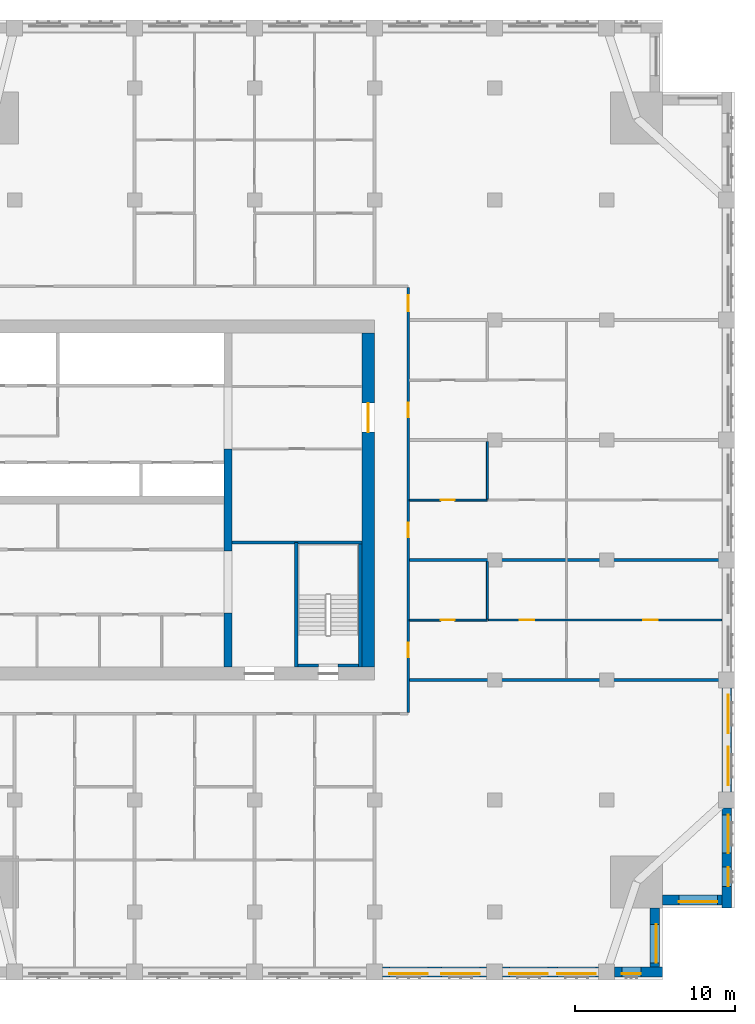
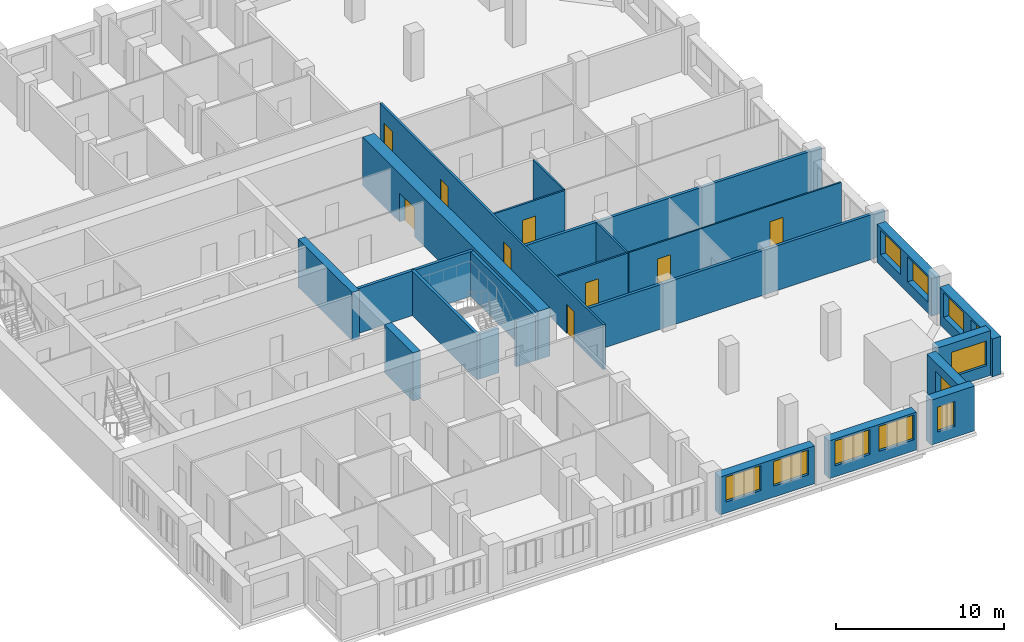
# One storey, part 8 of 14: 23 walls, 11 windows, 9 doors, 20 openings.
"""IFC4 building model written with IfcOpenShell, lengths in metres."""

from ifc_helpers import new_model, si_unit, direction, frame, frame_2d, origin, place, context, subcontext, project, spatial, rectangle, extrude, material, layer, layer_set, type_object, element, fill, save


model = new_model("IFC4")

# Units and contexts
model_context = context("Model", 3, precision=1e-05, world=origin(), true_north=direction((0.0, 1.0)))
body_context = subcontext(model_context, "Body", "Model", "MODEL_VIEW")
ifc_project = project(units=[si_unit("LENGTHUNIT", "METRE"), si_unit("AREAUNIT", "SQUARE_METRE"), si_unit("VOLUMEUNIT", "CUBIC_METRE"), si_unit("PLANEANGLEUNIT", "RADIAN"), si_unit("MASSUNIT", "GRAM", prefix="KILO")], contexts=[model_context])

# Site, building, storey
site_placement = place(None, origin())
site = spatial("IfcSite", under=ifc_project, at=site_placement, CompositionType="ELEMENT")
building_placement = place(site_placement, origin())
building = spatial("IfcBuilding", under=site, at=building_placement, Name="Tamorin Gate", CompositionType="ELEMENT")
storey_placement = place(building_placement, frame((0.0, 0.0, 200.199951171875)))
storey = spatial("IfcBuildingStorey", under=building, at=storey_placement, Name="L49", CompositionType="ELEMENT", Elevation=200.199951171875)

# Wall, openings, windows
ifc_material_1 = material(Name="Precast concrete C40/50", Category="concrete")
ifc_layer_1 = layer(ifc_material_1, 0.60009765625)
ifc_layer_set_1 = layer_set([ifc_layer_1], Name="Precast concrete C40/50")
wall_type_1 = type_object("IfcWallType", Name="Board-marked concrete facade panel 600", PredefinedType="SOLIDWALL", material=ifc_layer_set_1)
wall_1_placement = place(storey_placement, frame((60.5, 41.75, 0.0), z_axis=(0.0, 0.0, 1.0), x_axis=(1.0, 0.0, 0.0)))
wall_1 = element("IfcWall", 1, at=wall_1_placement, inside=storey, type_object=wall_type_1, Name="Facade panel", PredefinedType="SOLIDWALL", context=body_context, shape_type="SweptSolid", body=[
    extrude(rectangle(XDim=6.5, YDim=0.60009765625, at=frame_2d((3.25, 0.0))), origin(), (0.0, 0.0, 1.0), 2.75),
])
opening_1_placement = place(wall_1_placement, frame((0.425048828125, 0.0, 0.800048828125)))
opening_1 = element("IfcOpeningElement", 2, at=opening_1_placement, cuts=wall_1, Name="Opening WN1", PredefinedType="OPENING", context=body_context, shape_type="SweptSolid", body=[
    extrude(rectangle(XDim=2.39990234375, YDim=1.800048828125, at=frame_2d((1.199951171875, 0.89990234375))), frame((0.0, 0.31005859375, 0.0), z_axis=(0.0, -1.0, 0.0), x_axis=(1.0, 0.0, 0.0)), (0.0, 0.0, 1.0), 0.6201171875),
])
opening_2_placement = place(wall_1_placement, frame((3.675048828125, 0.0, 0.800048828125)))
opening_2 = element("IfcOpeningElement", 3, at=opening_2_placement, cuts=wall_1, Name="Opening WN1", PredefinedType="OPENING", context=body_context, shape_type="SweptSolid", body=[
    extrude(rectangle(XDim=2.39990234375, YDim=1.800048828125, at=frame_2d((1.199951171875, 0.89990234375))), frame((0.0, 0.31005859375, 0.0), z_axis=(0.0, -1.0, 0.0), x_axis=(1.0, 0.0, 0.0)), (0.0, 0.0, 1.0), 0.6201171875),
])
ifc_material_2 = material(Name="Clear glass in aluminium frame", Category="aluminium")
window_type_1 = type_object("IfcWindowType", Name="Deep-set window 2400x1800", PartitioningType="SINGLE_PANEL", PredefinedType="WINDOW", material=ifc_material_2)
window_1_placement = place(opening_1_placement, origin())
window_1 = element("IfcWindow", 4, at=window_1_placement, inside=storey, type_object=window_type_1, Name="Deep-set window", OverallHeight=1.800048828125, OverallWidth=2.39990234375, PartitioningType="SINGLE_PANEL", PredefinedType="WINDOW", context=body_context, shape_type="SweptSolid", body=[
    extrude(rectangle(XDim=2.39990234375, YDim=1.800048828125, at=frame_2d((1.199951171875, 0.89990234375))), frame((0.0, -0.070068359375, 0.0), z_axis=(0.0, -1.0, 0.0), x_axis=(1.0, 0.0, 0.0)), (0.0, 0.0, 1.0), 0.06005859375),
])
fill(opening_1, window_1)
window_2_placement = place(opening_2_placement, origin())
window_2 = element("IfcWindow", 5, at=window_2_placement, inside=storey, type_object=window_type_1, Name="Deep-set window", OverallHeight=1.800048828125, OverallWidth=2.39990234375, PartitioningType="SINGLE_PANEL", PredefinedType="WINDOW", context=body_context, shape_type="SweptSolid", body=[
    extrude(rectangle(XDim=2.39990234375, YDim=1.800048828125, at=frame_2d((1.199951171875, 0.89990234375))), frame((0.0, -0.070068359375, 0.0), z_axis=(0.0, -1.0, 0.0), x_axis=(1.0, 0.0, 0.0)), (0.0, 0.0, 1.0), 0.06005859375),
])
fill(opening_2, window_2)

wall_2_placement = place(storey_placement, frame((68.0, 41.75, 0.0), z_axis=(0.0, 0.0, 1.0), x_axis=(1.0, 0.0, 0.0)))
wall_2 = element("IfcWall", 6, at=wall_2_placement, inside=storey, type_object=wall_type_1, Name="Facade panel", PredefinedType="SOLIDWALL", context=body_context, shape_type="SweptSolid", body=[
    extrude(rectangle(XDim=6.0, YDim=0.60009765625, at=frame_2d((3.0, 0.0))), origin(), (0.0, 0.0, 1.0), 2.75),
])
opening_3_placement = place(wall_2_placement, frame((0.425048828125, 0.0, 0.800048828125)))
opening_3 = element("IfcOpeningElement", 7, at=opening_3_placement, cuts=wall_2, Name="Opening WN1", PredefinedType="OPENING", context=body_context, shape_type="SweptSolid", body=[
    extrude(rectangle(XDim=2.39990234375, YDim=1.800048828125, at=frame_2d((1.199951171875, 0.89990234375))), frame((0.0, 0.31005859375, 0.0), z_axis=(0.0, -1.0, 0.0), x_axis=(1.0, 0.0, 0.0)), (0.0, 0.0, 1.0), 0.6201171875),
])
opening_4_placement = place(wall_2_placement, frame((3.425048828125, 0.0, 0.800048828125)))
opening_4 = element("IfcOpeningElement", 8, at=opening_4_placement, cuts=wall_2, Name="Opening WN1", PredefinedType="OPENING", context=body_context, shape_type="SweptSolid", body=[
    extrude(rectangle(XDim=2.39990234375, YDim=1.800048828125, at=frame_2d((1.199951171875, 0.89990234375))), frame((0.0, 0.31005859375, 0.0), z_axis=(0.0, -1.0, 0.0), x_axis=(1.0, 0.0, 0.0)), (0.0, 0.0, 1.0), 0.6201171875),
])
window_3_placement = place(opening_3_placement, origin())
window_3 = element("IfcWindow", 9, at=window_3_placement, inside=storey, type_object=window_type_1, Name="Deep-set window", OverallHeight=1.800048828125, OverallWidth=2.39990234375, PartitioningType="SINGLE_PANEL", PredefinedType="WINDOW", context=body_context, shape_type="SweptSolid", body=[
    extrude(rectangle(XDim=2.39990234375, YDim=1.800048828125, at=frame_2d((1.199951171875, 0.89990234375))), frame((0.0, -0.070068359375, 0.0), z_axis=(0.0, -1.0, 0.0), x_axis=(1.0, 0.0, 0.0)), (0.0, 0.0, 1.0), 0.06005859375),
])
fill(opening_3, window_3)
window_4_placement = place(opening_4_placement, origin())
window_4 = element("IfcWindow", 10, at=window_4_placement, inside=storey, type_object=window_type_1, Name="Deep-set window", OverallHeight=1.800048828125, OverallWidth=2.39990234375, PartitioningType="SINGLE_PANEL", PredefinedType="WINDOW", context=body_context, shape_type="SweptSolid", body=[
    extrude(rectangle(XDim=2.39990234375, YDim=1.800048828125, at=frame_2d((1.199951171875, 0.89990234375))), frame((0.0, -0.070068359375, 0.0), z_axis=(0.0, -1.0, 0.0), x_axis=(1.0, 0.0, 0.0)), (0.0, 0.0, 1.0), 0.06005859375),
])
fill(opening_4, window_4)

# Wall, opening, window
wall_3_placement = place(storey_placement, frame((75.0, 41.75, 0.0), z_axis=(0.0, 0.0, 1.0), x_axis=(1.0, 0.0, 0.0)))
wall_3 = element("IfcWall", 11, at=wall_3_placement, inside=storey, type_object=wall_type_1, Name="Facade panel", PredefinedType="SOLIDWALL", context=body_context, shape_type="SweptSolid", body=[
    extrude(rectangle(XDim=3.0, YDim=0.60009765625, at=frame_2d((1.5, 0.0))), origin(), (0.0, 0.0, 1.0), 3.25),
])
opening_5_placement = place(wall_3_placement, frame((0.449951171875, 0.0, 0.800048828125)))
opening_5 = element("IfcOpeningElement", 12, at=opening_5_placement, cuts=wall_3, Name="Opening WN3", PredefinedType="OPENING", context=body_context, shape_type="SweptSolid", body=[
    extrude(rectangle(XDim=1.199951171875, YDim=1.800048828125, at=frame_2d((0.60009765625, 0.89990234375))), frame((0.0, 0.31005859375, 0.0), z_axis=(0.0, -1.0, 0.0), x_axis=(1.0, 0.0, 0.0)), (0.0, 0.0, 1.0), 0.6201171875),
])
window_type_2 = type_object("IfcWindowType", Name="Deep-set window 1200x1800", PartitioningType="SINGLE_PANEL", PredefinedType="WINDOW", material=ifc_material_2)
window_5_placement = place(opening_5_placement, origin())
window_5 = element("IfcWindow", 13, at=window_5_placement, inside=storey, type_object=window_type_2, Name="Deep-set window", OverallHeight=1.800048828125, OverallWidth=1.199951171875, PartitioningType="SINGLE_PANEL", PredefinedType="WINDOW", context=body_context, shape_type="SweptSolid", body=[
    extrude(rectangle(XDim=1.199951171875, YDim=1.800048828125, at=frame_2d((0.60009765625, 0.89990234375))), frame((0.0, -0.070068359375, 0.0), z_axis=(0.0, -1.0, 0.0), x_axis=(1.0, 0.0, 0.0)), (0.0, 0.0, 1.0), 0.06005859375),
])
fill(opening_5, window_5)

wall_4_placement = place(storey_placement, frame((77.5, 42.050048828125, 0.0), z_axis=(0.0, 0.0, 1.0), x_axis=(0.0, 1.0, 0.0)))
wall_4 = element("IfcWall", 14, at=wall_4_placement, inside=storey, type_object=wall_type_1, Name="Facade panel", PredefinedType="SOLIDWALL", context=body_context, shape_type="SweptSolid", body=[
    extrude(rectangle(XDim=3.699951171875, YDim=0.60009765625, at=frame_2d((1.85009765625, 0.0))), origin(), (0.0, 0.0, 1.0), 3.25),
])
opening_6_placement = place(wall_4_placement, frame((0.27490234375, 0.0, 0.800048828125)))
opening_6 = element("IfcOpeningElement", 15, at=opening_6_placement, cuts=wall_4, Name="Opening WN1", PredefinedType="OPENING", context=body_context, shape_type="SweptSolid", body=[
    extrude(rectangle(XDim=2.39990234375, YDim=1.800048828125, at=frame_2d((1.199951171875, 0.89990234375))), frame((0.0, 0.31005859375, 0.0), z_axis=(0.0, -1.0, 0.0), x_axis=(1.0, 0.0, 0.0)), (0.0, 0.0, 1.0), 0.6201171875),
])
window_6_placement = place(opening_6_placement, origin())
window_6 = element("IfcWindow", 16, at=window_6_placement, inside=storey, type_object=window_type_1, Name="Deep-set window", OverallHeight=1.800048828125, OverallWidth=2.39990234375, PartitioningType="SINGLE_PANEL", PredefinedType="WINDOW", context=body_context, shape_type="SweptSolid", body=[
    extrude(rectangle(XDim=2.39990234375, YDim=1.800048828125, at=frame_2d((1.199951171875, 0.89990234375))), frame((0.0, -0.070068359375, 0.0), z_axis=(0.0, -1.0, 0.0), x_axis=(1.0, 0.0, 0.0)), (0.0, 0.0, 1.0), 0.06005859375),
])
fill(opening_6, window_6)

wall_5_placement = place(storey_placement, frame((78.0, 46.25, 0.0), z_axis=(0.0, 0.0, 1.0), x_axis=(1.0, 0.0, 0.0)))
wall_5 = element("IfcWall", 17, at=wall_5_placement, inside=storey, type_object=wall_type_1, Name="Facade panel", PredefinedType="SOLIDWALL", context=body_context, shape_type="SweptSolid", body=[
    extrude(rectangle(XDim=3.699951171875, YDim=0.60009765625, at=frame_2d((1.85009765625, 0.0))), origin(), (0.0, 0.0, 1.0), 3.25),
])
opening_7_placement = place(wall_5_placement, frame((1.02490234375, 0.0, 0.800048828125)))
opening_7 = element("IfcOpeningElement", 18, at=opening_7_placement, cuts=wall_5, Name="Opening WN1", PredefinedType="OPENING", context=body_context, shape_type="SweptSolid", body=[
    extrude(rectangle(XDim=2.39990234375, YDim=1.800048828125, at=frame_2d((1.199951171875, 0.89990234375))), frame((0.0, 0.31005859375, 0.0), z_axis=(0.0, -1.0, 0.0), x_axis=(1.0, 0.0, 0.0)), (0.0, 0.0, 1.0), 0.6201171875),
])
window_7_placement = place(opening_7_placement, origin())
window_7 = element("IfcWindow", 19, at=window_7_placement, inside=storey, type_object=window_type_1, Name="Deep-set window", OverallHeight=1.800048828125, OverallWidth=2.39990234375, PartitioningType="SINGLE_PANEL", PredefinedType="WINDOW", context=body_context, shape_type="SweptSolid", body=[
    extrude(rectangle(XDim=2.39990234375, YDim=1.800048828125, at=frame_2d((1.199951171875, 0.89990234375))), frame((0.0, -0.070068359375, 0.0), z_axis=(0.0, -1.0, 0.0), x_axis=(1.0, 0.0, 0.0)), (0.0, 0.0, 1.0), 0.06005859375),
])
fill(opening_7, window_7)

# Wall, openings, windows
wall_6_placement = place(storey_placement, frame((82.0, 45.75, 0.0), z_axis=(0.0, 0.0, 1.0), x_axis=(0.0, 1.0, 0.0)))
wall_6 = element("IfcWall", 20, at=wall_6_placement, inside=storey, type_object=wall_type_1, Name="Facade panel", PredefinedType="SOLIDWALL", context=body_context, shape_type="SweptSolid", body=[
    extrude(rectangle(XDim=6.25, YDim=0.60009765625, at=frame_2d((3.125, 0.0))), origin(), (0.0, 0.0, 1.0), 2.75),
])
opening_8_placement = place(wall_6_placement, frame((1.35009765625, 0.0, 0.800048828125)))
opening_8 = element("IfcOpeningElement", 21, at=opening_8_placement, cuts=wall_6, Name="Opening WN3", PredefinedType="OPENING", context=body_context, shape_type="SweptSolid", body=[
    extrude(rectangle(XDim=1.199951171875, YDim=1.800048828125, at=frame_2d((0.60009765625, 0.89990234375))), frame((0.0, 0.31005859375, 0.0), z_axis=(0.0, -1.0, 0.0), x_axis=(1.0, 0.0, 0.0)), (0.0, 0.0, 1.0), 0.6201171875),
])
opening_9_placement = place(wall_6_placement, frame((3.425048828125, 0.0, 0.800048828125)))
opening_9 = element("IfcOpeningElement", 22, at=opening_9_placement, cuts=wall_6, Name="Opening WN1", PredefinedType="OPENING", context=body_context, shape_type="SweptSolid", body=[
    extrude(rectangle(XDim=2.39990234375, YDim=1.800048828125, at=frame_2d((1.199951171875, 0.89990234375))), frame((0.0, 0.31005859375, 0.0), z_axis=(0.0, -1.0, 0.0), x_axis=(1.0, 0.0, 0.0)), (0.0, 0.0, 1.0), 0.6201171875),
])
window_8_placement = place(opening_8_placement, origin())
window_8 = element("IfcWindow", 23, at=window_8_placement, inside=storey, type_object=window_type_2, Name="Deep-set window", OverallHeight=1.800048828125, OverallWidth=1.199951171875, PartitioningType="SINGLE_PANEL", PredefinedType="WINDOW", context=body_context, shape_type="SweptSolid", body=[
    extrude(rectangle(XDim=1.199951171875, YDim=1.800048828125, at=frame_2d((0.60009765625, 0.89990234375))), frame((0.0, -0.070068359375, 0.0), z_axis=(0.0, -1.0, 0.0), x_axis=(1.0, 0.0, 0.0)), (0.0, 0.0, 1.0), 0.06005859375),
])
fill(opening_8, window_8)
window_9_placement = place(opening_9_placement, origin())
window_9 = element("IfcWindow", 24, at=window_9_placement, inside=storey, type_object=window_type_1, Name="Deep-set window", OverallHeight=1.800048828125, OverallWidth=2.39990234375, PartitioningType="SINGLE_PANEL", PredefinedType="WINDOW", context=body_context, shape_type="SweptSolid", body=[
    extrude(rectangle(XDim=2.39990234375, YDim=1.800048828125, at=frame_2d((1.199951171875, 0.89990234375))), frame((0.0, -0.070068359375, 0.0), z_axis=(0.0, -1.0, 0.0), x_axis=(1.0, 0.0, 0.0)), (0.0, 0.0, 1.0), 0.06005859375),
])
fill(opening_9, window_9)

wall_7_placement = place(storey_placement, frame((82.0, 53.0, 0.0), z_axis=(0.0, 0.0, 1.0), x_axis=(0.0, 1.0, 0.0)))
wall_7 = element("IfcWall", 25, at=wall_7_placement, inside=storey, type_object=wall_type_1, Name="Facade panel", PredefinedType="SOLIDWALL", context=body_context, shape_type="SweptSolid", body=[
    extrude(rectangle(XDim=6.5, YDim=0.60009765625, at=frame_2d((3.25, 0.0))), origin(), (0.0, 0.0, 1.0), 2.75),
])
opening_10_placement = place(wall_7_placement, frame((0.425048828125, 0.0, 0.800048828125)))
opening_10 = element("IfcOpeningElement", 26, at=opening_10_placement, cuts=wall_7, Name="Opening WN1", PredefinedType="OPENING", context=body_context, shape_type="SweptSolid", body=[
    extrude(rectangle(XDim=2.39990234375, YDim=1.800048828125, at=frame_2d((1.199951171875, 0.89990234375))), frame((0.0, 0.31005859375, 0.0), z_axis=(0.0, -1.0, 0.0), x_axis=(1.0, 0.0, 0.0)), (0.0, 0.0, 1.0), 0.6201171875),
])
opening_11_placement = place(wall_7_placement, frame((3.675048828125, 0.0, 0.800048828125)))
opening_11 = element("IfcOpeningElement", 27, at=opening_11_placement, cuts=wall_7, Name="Opening WN1", PredefinedType="OPENING", context=body_context, shape_type="SweptSolid", body=[
    extrude(rectangle(XDim=2.39990234375, YDim=1.800048828125, at=frame_2d((1.199951171875, 0.89990234375))), frame((0.0, 0.31005859375, 0.0), z_axis=(0.0, -1.0, 0.0), x_axis=(1.0, 0.0, 0.0)), (0.0, 0.0, 1.0), 0.6201171875),
])
window_10_placement = place(opening_10_placement, origin())
window_10 = element("IfcWindow", 28, at=window_10_placement, inside=storey, type_object=window_type_1, Name="Deep-set window", OverallHeight=1.800048828125, OverallWidth=2.39990234375, PartitioningType="SINGLE_PANEL", PredefinedType="WINDOW", context=body_context, shape_type="SweptSolid", body=[
    extrude(rectangle(XDim=2.39990234375, YDim=1.800048828125, at=frame_2d((1.199951171875, 0.89990234375))), frame((0.0, -0.070068359375, 0.0), z_axis=(0.0, -1.0, 0.0), x_axis=(1.0, 0.0, 0.0)), (0.0, 0.0, 1.0), 0.06005859375),
])
fill(opening_10, window_10)
window_11_placement = place(opening_11_placement, origin())
window_11 = element("IfcWindow", 29, at=window_11_placement, inside=storey, type_object=window_type_1, Name="Deep-set window", OverallHeight=1.800048828125, OverallWidth=2.39990234375, PartitioningType="SINGLE_PANEL", PredefinedType="WINDOW", context=body_context, shape_type="SweptSolid", body=[
    extrude(rectangle(XDim=2.39990234375, YDim=1.800048828125, at=frame_2d((1.199951171875, 0.89990234375))), frame((0.0, -0.070068359375, 0.0), z_axis=(0.0, -1.0, 0.0), x_axis=(1.0, 0.0, 0.0)), (0.0, 0.0, 1.0), 0.06005859375),
])
fill(opening_11, window_11)

# Wall, openings, doors
ifc_material_3 = material(Name="Gypsum board partition")
ifc_layer_2 = layer(ifc_material_3, 0.14990234375)
ifc_layer_set_2 = layer_set([ifc_layer_2], Name="Corridor wall 150")
wall_type_2 = type_object("IfcWallType", Name="Corridor wall 150", PredefinedType="PARTITIONING", material=ifc_layer_set_2)
wall_8_placement = place(storey_placement, frame((62.10009765625, 57.97509765625, 0.0), z_axis=(0.0, 0.0, 1.0), x_axis=(0.0, 1.0, 0.0)))
wall_8 = element("IfcWall", 30, at=wall_8_placement, inside=storey, type_object=wall_type_2, Name="Corridor wall 150", PredefinedType="PARTITIONING", context=body_context, shape_type="SweptSolid", body=[
    extrude(rectangle(XDim=26.5498046875, YDim=0.14990234375, at=frame_2d((13.27490234375, 0.0))), origin(), (0.0, 0.0, 1.0), 3.25),
])
opening_12_placement = place(wall_8_placement, frame((25.074951171875, 0.0, 0.0)))
opening_12 = element("IfcOpeningElement", 31, at=opening_12_placement, cuts=wall_8, Name="Opening DR3033", PredefinedType="OPENING", context=body_context, shape_type="SweptSolid", body=[
    extrude(rectangle(XDim=1.0, YDim=2.10009765625, at=frame_2d((0.5, 1.050048828125))), frame((0.0, 0.0849609375, 0.0), z_axis=(0.0, -1.0, 0.0), x_axis=(1.0, 0.0, 0.0)), (0.0, 0.0, 1.0), 0.169921875),
])
opening_13_placement = place(wall_8_placement, frame((3.449951171875, 0.0, 0.0)))
opening_13 = element("IfcOpeningElement", 32, at=opening_13_placement, cuts=wall_8, Name="Opening DR3034", PredefinedType="OPENING", context=body_context, shape_type="SweptSolid", body=[
    extrude(rectangle(XDim=0.89990234375, YDim=2.10009765625, at=frame_2d((0.449951171875, 1.050048828125))), frame((0.0, 0.0849609375, 0.0), z_axis=(0.0, -1.0, 0.0), x_axis=(1.0, 0.0, 0.0)), (0.0, 0.0, 1.0), 0.169921875),
])
opening_14_placement = place(wall_8_placement, frame((10.949951171875, 0.0, 0.0)))
opening_14 = element("IfcOpeningElement", 33, at=opening_14_placement, cuts=wall_8, Name="Opening DR3039", PredefinedType="OPENING", context=body_context, shape_type="SweptSolid", body=[
    extrude(rectangle(XDim=0.89990234375, YDim=2.10009765625, at=frame_2d((0.449951171875, 1.050048828125))), frame((0.0, 0.0849609375, 0.0), z_axis=(0.0, -1.0, 0.0), x_axis=(1.0, 0.0, 0.0)), (0.0, 0.0, 1.0), 0.169921875),
])
opening_15_placement = place(wall_8_placement, frame((18.449951171875, 0.0, 0.0)))
opening_15 = element("IfcOpeningElement", 34, at=opening_15_placement, cuts=wall_8, Name="Opening DR3044", PredefinedType="OPENING", context=body_context, shape_type="SweptSolid", body=[
    extrude(rectangle(XDim=0.89990234375, YDim=2.10009765625, at=frame_2d((0.449951171875, 1.050048828125))), frame((0.0, 0.0849609375, 0.0), z_axis=(0.0, -1.0, 0.0), x_axis=(1.0, 0.0, 0.0)), (0.0, 0.0, 1.0), 0.169921875),
])
ifc_material_4 = material(Name="Timber door leaf", Category="wood")
door_type_1 = type_object("IfcDoorType", Name="Door 1000 x 2100 FD30S", OperationType="NOTDEFINED", PredefinedType="DOOR", material=ifc_material_4)
door_1_placement = place(opening_12_placement, origin())
door_1 = element("IfcDoor", 35, at=door_1_placement, inside=storey, type_object=door_type_1, Name="Door DR3033", OperationType="SINGLE_SWING_RIGHT", OverallHeight=2.10009765625, OverallWidth=1.0, PredefinedType="DOOR", context=body_context, shape_type="SweptSolid", body=[
    extrude(rectangle(XDim=1.0, YDim=2.10009765625, at=frame_2d((0.5, 1.050048828125))), frame((0.0, 0.02490234375, 0.0), z_axis=(0.0, -1.0, 0.0), x_axis=(1.0, 0.0, 0.0)), (0.0, 0.0, 1.0), 0.050048828125),
])
fill(opening_12, door_1)
door_type_2 = type_object("IfcDoorType", Name="Door 900 x 2100 FD30S", OperationType="NOTDEFINED", PredefinedType="DOOR", material=ifc_material_4)
door_2_placement = place(opening_13_placement, origin())
door_2 = element("IfcDoor", 36, at=door_2_placement, inside=storey, type_object=door_type_2, Name="Door DR3034", OperationType="SINGLE_SWING_RIGHT", OverallHeight=2.10009765625, OverallWidth=0.89990234375, PredefinedType="DOOR", context=body_context, shape_type="SweptSolid", body=[
    extrude(rectangle(XDim=0.89990234375, YDim=2.10009765625, at=frame_2d((0.449951171875, 1.050048828125))), frame((0.0, 0.02490234375, 0.0), z_axis=(0.0, -1.0, 0.0), x_axis=(1.0, 0.0, 0.0)), (0.0, 0.0, 1.0), 0.050048828125),
])
fill(opening_13, door_2)
door_3_placement = place(opening_14_placement, origin())
door_3 = element("IfcDoor", 37, at=door_3_placement, inside=storey, type_object=door_type_2, Name="Door DR3039", OperationType="SINGLE_SWING_RIGHT", OverallHeight=2.10009765625, OverallWidth=0.89990234375, PredefinedType="DOOR", context=body_context, shape_type="SweptSolid", body=[
    extrude(rectangle(XDim=0.89990234375, YDim=2.10009765625, at=frame_2d((0.449951171875, 1.050048828125))), frame((0.0, 0.02490234375, 0.0), z_axis=(0.0, -1.0, 0.0), x_axis=(1.0, 0.0, 0.0)), (0.0, 0.0, 1.0), 0.050048828125),
])
fill(opening_14, door_3)
door_4_placement = place(opening_15_placement, origin())
door_4 = element("IfcDoor", 38, at=door_4_placement, inside=storey, type_object=door_type_2, Name="Door DR3044", OperationType="SINGLE_SWING_RIGHT", OverallHeight=2.10009765625, OverallWidth=0.89990234375, PredefinedType="DOOR", context=body_context, shape_type="SweptSolid", body=[
    extrude(rectangle(XDim=0.89990234375, YDim=2.10009765625, at=frame_2d((0.449951171875, 1.050048828125))), frame((0.0, 0.02490234375, 0.0), z_axis=(0.0, -1.0, 0.0), x_axis=(1.0, 0.0, 0.0)), (0.0, 0.0, 1.0), 0.050048828125),
])
fill(opening_15, door_4)

# Walls
ifc_layer_3 = layer(ifc_material_3, 0.199951171875)
ifc_layer_set_3 = layer_set([ifc_layer_3], Name="Demising wall 200")
wall_type_3 = type_object("IfcWallType", Name="Demising wall 200", PredefinedType="PARTITIONING", material=ifc_layer_set_3)
for number, where, z_axis, x_axis, name in (
    (39, (62.175048828125, 60.0, 0.0), (0.0, 0.0, 1.0), (1.0, 0.0, 0.0), "Demising wall 200"),
    (40, (62.175048828125, 67.5, 0.0), (0.0, 0.0, 1.0), (1.0, 0.0, 0.0), "Demising wall 200"),
):
    element("IfcWall", number, at=place(storey_placement, frame(where, z_axis=z_axis, x_axis=x_axis)), inside=storey, type_object=wall_type_3, Name=name, PredefinedType="PARTITIONING", context=body_context, shape_type="SweptSolid", body=[
        extrude(rectangle(XDim=20.324951171875, YDim=0.199951171875, at=frame_2d((10.16259765625, 0.0))), origin(), (0.0, 0.0, 1.0), 3.25),
    ])
ifc_material_5 = material(Name="Concrete C60/75", Category="concrete")
ifc_layer_4 = layer(ifc_material_5, 0.5)
ifc_layer_set_4 = layer_set([ifc_layer_4], Name="RC core internal wall 500 C60/75")
wall_type_4 = type_object("IfcWallType", Name="RC core internal wall 500 C60/75", PredefinedType="SHEAR", material=ifc_layer_set_4)
wall_9_placement = place(storey_placement, frame((50.85009765625, 60.800048828125, 0.0), z_axis=(0.0, 0.0, 1.0), x_axis=(0.0, 1.0, 0.0)))
element("IfcWall", 41, at=wall_9_placement, inside=storey, type_object=wall_type_4, Name="Core cross wall L49", PredefinedType="SHEAR", context=body_context, shape_type="SweptSolid", body=[
    extrude(rectangle(XDim=3.39990234375, YDim=0.5, at=frame_2d((1.699951171875, 0.0))), origin(), (0.0, 0.0, 1.0), 3.5),
])
wall_10_placement = place(storey_placement, frame((50.85009765625, 68.050048828125, 0.0), z_axis=(0.0, 0.0, 1.0), x_axis=(0.0, 1.0, 0.0)))
element("IfcWall", 42, at=wall_10_placement, inside=storey, type_object=wall_type_4, Name="Core cross wall L49", PredefinedType="SHEAR", context=body_context, shape_type="SweptSolid", body=[
    extrude(rectangle(XDim=6.39990234375, YDim=0.5, at=frame_2d((3.199951171875, 0.0))), origin(), (0.0, 0.0, 1.0), 3.5),
])

# Wall, opening, door
ifc_layer_5 = layer(ifc_material_5, 0.800048828125)
ifc_layer_set_5 = layer_set([ifc_layer_5], Name="RC core wall 800 C60/75")
wall_type_5 = type_object("IfcWallType", Name="RC core wall 800 C60/75", PredefinedType="SHEAR", material=ifc_layer_set_5)
wall_11_placement = place(storey_placement, frame((59.60009765625, 60.800048828125, 0.0), z_axis=(0.0, 0.0, 1.0), x_axis=(0.0, 1.0, 0.0)))
wall_11 = element("IfcWall", 43, at=wall_11_placement, inside=storey, type_object=wall_type_5, Name="Core wall L49", PredefinedType="SHEAR", context=body_context, shape_type="SweptSolid", body=[
    extrude(rectangle(XDim=20.89990234375, YDim=0.800048828125, at=frame_2d((10.449951171875, 0.0))), origin(), (0.0, 0.0, 1.0), 3.5),
])
opening_16_placement = place(wall_11_placement, frame((14.699951171875, 0.0, 0.0)))
opening_16 = element("IfcOpeningElement", 44, at=opening_16_placement, cuts=wall_11, Name="Opening DE1", PredefinedType="OPENING", context=body_context, shape_type="SweptSolid", body=[
    extrude(rectangle(XDim=1.800048828125, YDim=2.10009765625, at=frame_2d((0.89990234375, 1.050048828125))), frame((0.0, 0.409912109375, 0.0), z_axis=(0.0, -1.0, 0.0), x_axis=(1.0, 0.0, 0.0)), (0.0, 0.0, 1.0), 0.820068359375),
])
ifc_material_6 = material(Name="Steel fire door", Category="steel")
door_type_3 = type_object("IfcDoorType", Name="Lobby exit double door 1800 x 2100 EI 60", OperationType="DOUBLE_DOOR_SINGLE_SWING", PredefinedType="DOOR", material=ifc_material_6)
door_5_placement = place(opening_16_placement, origin())
door_5 = element("IfcDoor", 45, at=door_5_placement, inside=storey, type_object=door_type_3, Name="Lift lobby B exit door", OperationType="DOUBLE_DOOR_SINGLE_SWING", OverallHeight=2.10009765625, OverallWidth=1.800048828125, PredefinedType="DOOR", context=body_context, shape_type="SweptSolid", body=[
    extrude(rectangle(XDim=1.800048828125, YDim=2.10009765625, at=frame_2d((0.89990234375, 1.050048828125))), frame((0.0, 0.02490234375, 0.0), z_axis=(0.0, -1.0, 0.0), x_axis=(1.0, 0.0, 0.0)), (0.0, 0.0, 1.0), 0.050048828125),
])
fill(opening_16, door_5)

# Wall, openings, doors
ifc_layer_6 = layer(ifc_material_3, 0.10009765625)
ifc_layer_set_6 = layer_set([ifc_layer_6], Name="Room partition 100")
wall_type_6 = type_object("IfcWallType", Name="Room partition 100", PredefinedType="PARTITIONING", material=ifc_layer_set_6)
wall_12_placement = place(storey_placement, frame((67.112548828125, 63.75, 0.0), z_axis=(0.0, 0.0, 1.0), x_axis=(1.0, 0.0, 0.0)))
wall_12 = element("IfcWall", 46, at=wall_12_placement, inside=storey, type_object=wall_type_6, Name="Room partition 100", PredefinedType="PARTITIONING", context=body_context, shape_type="SweptSolid", body=[
    extrude(rectangle(XDim=14.577392578125, YDim=0.10009765625, at=frame_2d((7.28857421875, 0.0))), origin(), (0.0, 0.0, 1.0), 3.25),
])
opening_17_placement = place(wall_12_placement, frame((1.96240234375, 0.0, 0.0)))
opening_17 = element("IfcOpeningElement", 47, at=opening_17_placement, cuts=wall_12, Name="Opening DR3036", PredefinedType="OPENING", context=body_context, shape_type="SweptSolid", body=[
    extrude(rectangle(XDim=0.89990234375, YDim=2.10009765625, at=frame_2d((0.449951171875, 1.050048828125))), frame((0.0, 0.06005859375, 0.0), z_axis=(0.0, -1.0, 0.0), x_axis=(1.0, 0.0, 0.0)), (0.0, 0.0, 1.0), 0.1201171875),
])
opening_18_placement = place(wall_12_placement, frame((9.6875, 0.0, 0.0)))
opening_18 = element("IfcOpeningElement", 48, at=opening_18_placement, cuts=wall_12, Name="Opening DR3038", PredefinedType="OPENING", context=body_context, shape_type="SweptSolid", body=[
    extrude(rectangle(XDim=0.89990234375, YDim=2.10009765625, at=frame_2d((0.449951171875, 1.050048828125))), frame((0.0, 0.06005859375, 0.0), z_axis=(0.0, -1.0, 0.0), x_axis=(1.0, 0.0, 0.0)), (0.0, 0.0, 1.0), 0.1201171875),
])
door_type_4 = type_object("IfcDoorType", Name="Door 900 x 2100", OperationType="NOTDEFINED", PredefinedType="DOOR", material=ifc_material_4)
door_6_placement = place(opening_17_placement, origin())
door_6 = element("IfcDoor", 49, at=door_6_placement, inside=storey, type_object=door_type_4, Name="Door DR3036", OperationType="SINGLE_SWING_LEFT", OverallHeight=2.10009765625, OverallWidth=0.89990234375, PredefinedType="DOOR", context=body_context, shape_type="SweptSolid", body=[
    extrude(rectangle(XDim=0.89990234375, YDim=2.10009765625, at=frame_2d((0.449951171875, 1.050048828125))), frame((0.0, 0.02490234375, 0.0), z_axis=(0.0, -1.0, 0.0), x_axis=(1.0, 0.0, 0.0)), (0.0, 0.0, 1.0), 0.050048828125),
])
fill(opening_17, door_6)
door_7_placement = place(opening_18_placement, origin())
door_7 = element("IfcDoor", 50, at=door_7_placement, inside=storey, type_object=door_type_4, Name="Door DR3038", OperationType="SINGLE_SWING_RIGHT", OverallHeight=2.10009765625, OverallWidth=0.89990234375, PredefinedType="DOOR", context=body_context, shape_type="SweptSolid", body=[
    extrude(rectangle(XDim=0.89990234375, YDim=2.10009765625, at=frame_2d((0.449951171875, 1.050048828125))), frame((0.0, 0.02490234375, 0.0), z_axis=(0.0, -1.0, 0.0), x_axis=(1.0, 0.0, 0.0)), (0.0, 0.0, 1.0), 0.050048828125),
])
fill(opening_18, door_7)

# Walls
ifc_material_7 = material(Name="Concrete C40/50", Category="concrete")
ifc_layer_7 = layer(ifc_material_7, 0.199951171875)
ifc_layer_set_7 = layer_set([ifc_layer_7], Name="Stair enclosure wall 200 EI 120 C40/50")
wall_type_7 = type_object("IfcWallType", Name="Stair enclosure wall 200 EI 120 C40/50", PredefinedType="SOLIDWALL", material=ifc_layer_set_7)
wall_13_placement = place(storey_placement, frame((55.10009765625, 60.800048828125, 0.0), z_axis=(0.0, 0.0, 1.0), x_axis=(0.0, 1.0, 0.0)))
element("IfcWall", 51, at=wall_13_placement, inside=storey, type_object=wall_type_7, Name="Stair enclosure wall", PredefinedType="SOLIDWALL", context=body_context, shape_type="SweptSolid", body=[
    extrude(rectangle(XDim=7.800048828125, YDim=0.199951171875, at=frame_2d((3.89990234375, 0.0))), origin(), (0.0, 0.0, 1.0), 3.25),
])
wall_14_placement = place(storey_placement, frame((51.10009765625, 68.60009765625, 0.0), z_axis=(0.0, 0.0, 1.0), x_axis=(1.0, 0.0, 0.0)))
element("IfcWall", 52, at=wall_14_placement, inside=storey, type_object=wall_type_7, Name="Stair enclosure wall", PredefinedType="SOLIDWALL", context=body_context, shape_type="SweptSolid", body=[
    extrude(rectangle(XDim=8.099853515625, YDim=0.199951171875, at=frame_2d((4.0498046875, 0.0))), origin(), (0.0, 0.0, 1.0), 3.25),
])
ifc_layer_8 = layer(ifc_material_5, 0.199951171875)
ifc_layer_set_8 = layer_set([ifc_layer_8], Name="Stair lining wall 200 EI 120 C60/75")
wall_type_8 = type_object("IfcWallType", Name="Stair lining wall 200 EI 120 C60/75", PredefinedType="SOLIDWALL", material=ifc_layer_set_8)
for number, where, z_axis, x_axis, name in (
    (53, (55.199951171875, 60.89990234375, 0.0), (0.0, 0.0, 1.0), (1.0, 0.0, 0.0), "Stair lining wall"),
    (54, (57.699951171875, 60.89990234375, 0.0), (0.0, 0.0, 1.0), (1.0, 0.0, 0.0), "Stair lining wall"),
):
    element("IfcWall", number, at=place(storey_placement, frame(where, z_axis=z_axis, x_axis=x_axis)), inside=storey, type_object=wall_type_8, Name=name, PredefinedType="SOLIDWALL", context=body_context, shape_type="SweptSolid", body=[
        extrude(rectangle(XDim=1.300048828125, YDim=0.199951171875, at=frame_2d((0.64990234375, 0.0))), origin(), (0.0, 0.0, 1.0), 3.25),
    ])
wall_15_placement = place(storey_placement, frame((59.10009765625, 60.800048828125, 0.0), z_axis=(0.0, 0.0, 1.0), x_axis=(0.0, 1.0, 0.0)))
element("IfcWall", 55, at=wall_15_placement, inside=storey, type_object=wall_type_8, Name="Stair lining wall", PredefinedType="SOLIDWALL", context=body_context, shape_type="SweptSolid", body=[
    extrude(rectangle(XDim=7.699951171875, YDim=0.199951171875, at=frame_2d((3.85009765625, 0.0))), origin(), (0.0, 0.0, 1.0), 3.25),
])

# Wall, opening, door
ifc_layer_9 = layer(ifc_material_3, 0.125)
ifc_layer_set_9 = layer_set([ifc_layer_9], Name="Wet wall 125")
wall_type_9 = type_object("IfcWallType", Name="Wet wall 125", PredefinedType="PARTITIONING", material=ifc_layer_set_9)
wall_16_placement = place(storey_placement, frame((62.175048828125, 63.75, 0.0), z_axis=(0.0, 0.0, 1.0), x_axis=(1.0, 0.0, 0.0)))
wall_16 = element("IfcWall", 56, at=wall_16_placement, inside=storey, type_object=wall_type_9, Name="Wet wall 125", PredefinedType="PARTITIONING", context=body_context, shape_type="SweptSolid", body=[
    extrude(rectangle(XDim=4.875, YDim=0.125, at=frame_2d((2.4375, 0.0))), origin(), (0.0, 0.0, 1.0), 3.25),
])
opening_19_placement = place(wall_16_placement, frame((1.949951171875, 0.0, 0.0)))
opening_19 = element("IfcOpeningElement", 57, at=opening_19_placement, cuts=wall_16, Name="Opening DR3037", PredefinedType="OPENING", context=body_context, shape_type="SweptSolid", body=[
    extrude(rectangle(XDim=0.89990234375, YDim=2.10009765625, at=frame_2d((0.449951171875, 1.050048828125))), frame((0.0, 0.072509765625, 0.0), z_axis=(0.0, -1.0, 0.0), x_axis=(1.0, 0.0, 0.0)), (0.0, 0.0, 1.0), 0.14501953125),
])
door_8_placement = place(opening_19_placement, origin())
door_8 = element("IfcDoor", 58, at=door_8_placement, inside=storey, type_object=door_type_4, Name="Door DR3037", OperationType="SINGLE_SWING_RIGHT", OverallHeight=2.10009765625, OverallWidth=0.89990234375, PredefinedType="DOOR", context=body_context, shape_type="SweptSolid", body=[
    extrude(rectangle(XDim=0.89990234375, YDim=2.10009765625, at=frame_2d((0.449951171875, 1.050048828125))), frame((0.0, 0.02490234375, 0.0), z_axis=(0.0, -1.0, 0.0), x_axis=(1.0, 0.0, 0.0)), (0.0, 0.0, 1.0), 0.050048828125),
])
fill(opening_19, door_8)

wall_17_placement = place(storey_placement, frame((62.175048828125, 71.25, 0.0), z_axis=(0.0, 0.0, 1.0), x_axis=(1.0, 0.0, 0.0)))
wall_17 = element("IfcWall", 59, at=wall_17_placement, inside=storey, type_object=wall_type_9, Name="Wet wall 125", PredefinedType="PARTITIONING", context=body_context, shape_type="SweptSolid", body=[
    extrude(rectangle(XDim=4.875, YDim=0.125, at=frame_2d((2.4375, 0.0))), origin(), (0.0, 0.0, 1.0), 3.25),
])
opening_20_placement = place(wall_17_placement, frame((1.949951171875, 0.0, 0.0)))
opening_20 = element("IfcOpeningElement", 60, at=opening_20_placement, cuts=wall_17, Name="Opening DR3042", PredefinedType="OPENING", context=body_context, shape_type="SweptSolid", body=[
    extrude(rectangle(XDim=0.89990234375, YDim=2.10009765625, at=frame_2d((0.449951171875, 1.050048828125))), frame((0.0, 0.072509765625, 0.0), z_axis=(0.0, -1.0, 0.0), x_axis=(1.0, 0.0, 0.0)), (0.0, 0.0, 1.0), 0.14501953125),
])
door_9_placement = place(opening_20_placement, origin())
door_9 = element("IfcDoor", 61, at=door_9_placement, inside=storey, type_object=door_type_4, Name="Door DR3042", OperationType="SINGLE_SWING_RIGHT", OverallHeight=2.10009765625, OverallWidth=0.89990234375, PredefinedType="DOOR", context=body_context, shape_type="SweptSolid", body=[
    extrude(rectangle(XDim=0.89990234375, YDim=2.10009765625, at=frame_2d((0.449951171875, 1.050048828125))), frame((0.0, 0.02490234375, 0.0), z_axis=(0.0, -1.0, 0.0), x_axis=(1.0, 0.0, 0.0)), (0.0, 0.0, 1.0), 0.050048828125),
])
fill(opening_20, door_9)

# Walls
for number, where, z_axis, x_axis, name in (
    (62, (67.050048828125, 63.8125, 0.0), (0.0, 0.0, 1.0), (0.0, 1.0, 0.0), "Wet wall 125"),
    (63, (67.050048828125, 71.3125, 0.0), (0.0, 0.0, 1.0), (0.0, 1.0, 0.0), "Wet wall 125"),
):
    element("IfcWall", number, at=place(storey_placement, frame(where, z_axis=z_axis, x_axis=x_axis)), inside=storey, type_object=wall_type_9, Name=name, PredefinedType="PARTITIONING", context=body_context, shape_type="SweptSolid", body=[
        extrude(rectangle(XDim=3.58740234375, YDim=0.125, at=frame_2d((1.793701171875, 0.0))), origin(), (0.0, 0.0, 1.0), 3.25),
    ])

save(model, "model.ifc")
